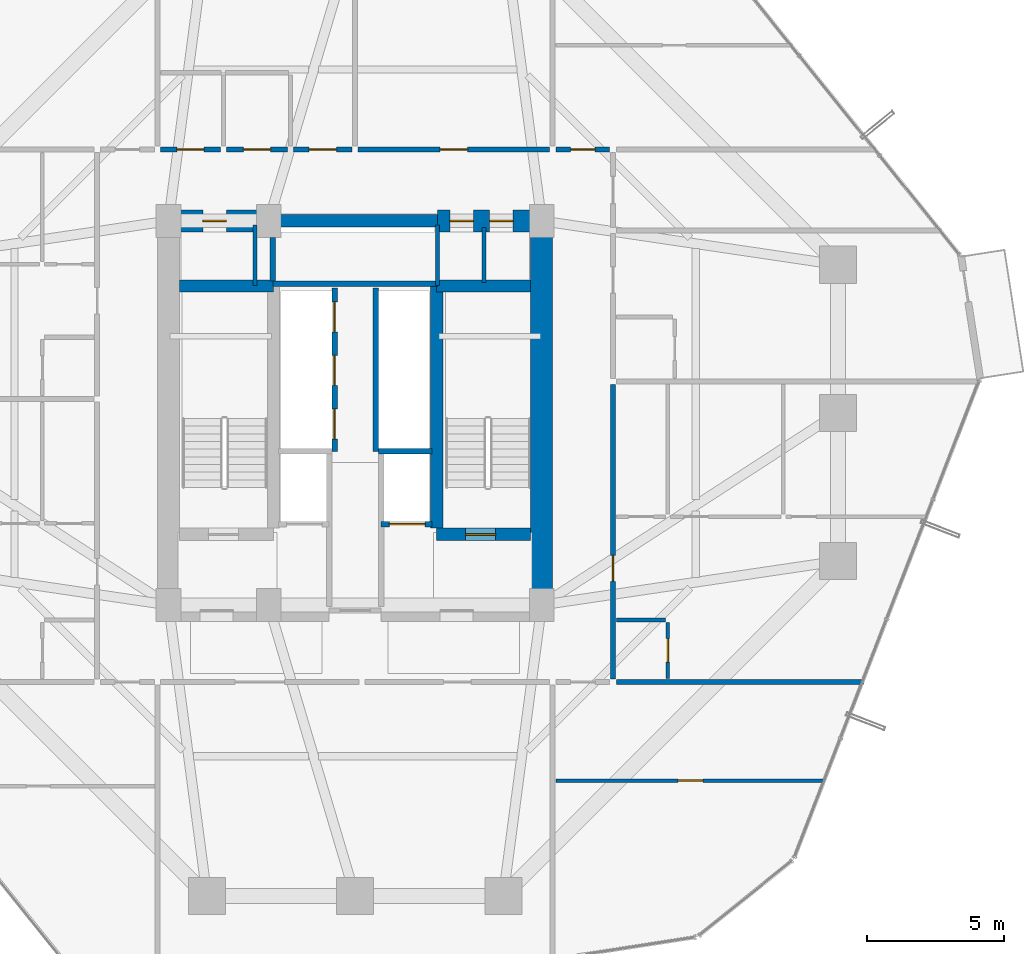
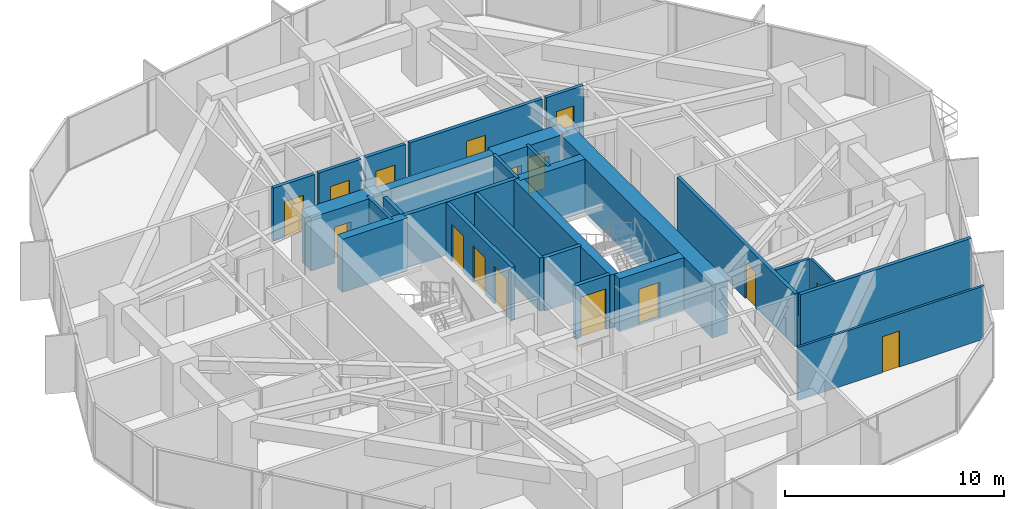
# One storey, part 34 of 37: 27 walls, 16 doors, 16 openings.
"""IFC4 building model written with IfcOpenShell, lengths in metres."""

from ifc_helpers import new_model, si_unit, direction, frame, frame_2d, origin, place, context, subcontext, project, spatial, rectangle, extrude, source, transform, mapped, material, layer, layer_set, type_object, element, fill, save


model = new_model("IFC4")

# Units and contexts
model_context = context("Model", 3, precision=1e-05, world=origin(), true_north=direction((0.0, 1.0)))
body_context = subcontext(model_context, "Body", "Model", "MODEL_VIEW")
ifc_project = project(units=[si_unit("LENGTHUNIT", "METRE"), si_unit("AREAUNIT", "SQUARE_METRE"), si_unit("VOLUMEUNIT", "CUBIC_METRE"), si_unit("PLANEANGLEUNIT", "RADIAN"), si_unit("MASSUNIT", "GRAM", prefix="KILO")], contexts=[model_context])

# Site, building, storey
site_placement = place(None, origin())
site = spatial("IfcSite", under=ifc_project, at=site_placement, CompositionType="ELEMENT")
building_placement = place(site_placement, origin())
building = spatial("IfcBuilding", under=site, at=building_placement, Name="Veraguas Prism Commons", CompositionType="ELEMENT")
storey_placement = place(building_placement, frame((0.0, 0.0, 53.300048828125)))
storey = spatial("IfcBuildingStorey", under=building, at=storey_placement, Name="L14", CompositionType="ELEMENT", Elevation=53.300048828125)

# Wall
ifc_material_1 = material(Name="Concrete C60/75", Category="concrete")
ifc_layer_1 = layer(ifc_material_1, 0.449951171875, Name="Core Internal Shear Wall Lower RC 450", Category="concrete")
ifc_layer_set_1 = layer_set([ifc_layer_1], Name="Concrete C60/75")
wall_type_1 = type_object("IfcWallType", Name="Core Internal Shear Wall Lower RC 450", PredefinedType="SHEAR", material=ifc_layer_set_1)
wall_1_placement = place(storey_placement, frame((21.0, 31.0, 0.0), z_axis=(0.0, 0.0, 1.0), x_axis=(1.0, 0.0, 0.0)))
element("IfcWall", 1, at=wall_1_placement, inside=storey, type_object=wall_type_1, Name="High-Rise Lift Bank Front Shear Wall L14", PredefinedType="SHEAR", context=body_context, shape_type="SweptSolid", body=[
    extrude(rectangle(XDim=6.0, YDim=0.449951171875, at=frame_2d((3.0, 0.0))), origin(), (0.0, 0.0, 1.0), 2.969970703125),
])

# Wall, opening, door
wall_2_placement = place(storey_placement, frame((26.97509765625, 19.574951171875, 0.0), z_axis=(0.0, 0.0, 1.0), x_axis=(1.0, 0.0, 0.0)))
wall_2 = element("IfcWall", 2, at=wall_2_placement, inside=storey, type_object=wall_type_1, Name="Stair ST-02 South Shear Wall L14", PredefinedType="SHEAR", context=body_context, shape_type="SweptSolid", body=[
    extrude(rectangle(XDim=3.4248046875, YDim=0.449951171875, at=frame_2d((1.71240234375, 0.0))), origin(), (0.0, 0.0, 1.0), 2.969970703125),
])
opening_1_placement = place(wall_2_placement, frame((1.050048828125, 0.0, 0.0)))
opening_1 = element("IfcOpeningElement", 3, at=opening_1_placement, cuts=wall_2, Name="Opening DR-05", PredefinedType="OPENING", context=body_context, shape_type="SweptSolid", body=[
    extrude(rectangle(XDim=1.10009765625, YDim=2.030029296875, at=frame_2d((0.550048828125, 1.01513671875))), frame((0.0, 0.23486328125, 0.0), z_axis=(0.0, -1.0, 0.0), x_axis=(1.0, 0.0, 0.0)), (0.0, 0.0, 1.0), 0.469970703125),
])
ifc_material_2 = material(Name="Steel fire-rated door assembly", Category="steel")
door_type_1 = type_object("IfcDoorType", Name="Protected Stair and Refuge Fire Door 1100x2030", OperationType="NOTDEFINED", PredefinedType="DOOR", material=ifc_material_2)
shared_shape_1 = source(origin(), body_context, "Body", "SweptSolid", [
    extrude(rectangle(XDim=1.10009765625, YDim=2.030029296875, at=frame_2d((0.550048828125, 1.01513671875))), frame((0.0, 0.02490234375, 0.0), z_axis=(0.0, -1.0, 0.0), x_axis=(1.0, 0.0, 0.0)), (0.0, 0.0, 1.0), 0.050048828125),
])
door_1_placement = place(opening_1_placement, origin())
door_1 = element("IfcDoor", 4, at=door_1_placement, inside=storey, type_object=door_type_1, Name="Stair ST-02 Enclosure Door L14", OperationType="SINGLE_SWING_RIGHT", OverallHeight=2.030029296875, OverallWidth=1.10009765625, PredefinedType="DOOR", context=body_context, shape_type="MappedRepresentation", body=[
    mapped(shared_shape_1, transform((0.0, 0.0, 0.0), scale=1.0)),
])
fill(opening_1, door_1)

# Walls
wall_3_placement = place(storey_placement, frame((26.97509765625, 19.800048828125, 0.0), z_axis=(0.0, 0.0, 1.0), x_axis=(0.0, 1.0, 0.0)))
element("IfcWall", 5, at=wall_3_placement, inside=storey, type_object=wall_type_1, Name="Stair ST-02 Inner Shear Wall L14", PredefinedType="SHEAR", context=body_context, shape_type="SweptSolid", body=[
    extrude(rectangle(XDim=8.824951171875, YDim=0.449951171875, at=frame_2d((4.41259765625, 0.0))), origin(), (0.0, 0.0, 1.0), 2.969970703125),
])
for number, where, z_axis, x_axis, name in (
    (6, (17.60009765625, 28.625, 0.0), (0.0, 0.0, 1.0), (1.0, 0.0, 0.0), "Stair ST-01 North Shear Wall L14"),
    (7, (26.97509765625, 28.625, 0.0), (0.0, 0.0, 1.0), (1.0, 0.0, 0.0), "Stair ST-02 North Shear Wall L14"),
):
    element("IfcWall", number, at=place(storey_placement, frame(where, z_axis=z_axis, x_axis=x_axis)), inside=storey, type_object=wall_type_1, Name=name, PredefinedType="SHEAR", context=body_context, shape_type="SweptSolid", body=[
        extrude(rectangle(XDim=3.4248046875, YDim=0.449951171875, at=frame_2d((1.71240234375, 0.0))), origin(), (0.0, 0.0, 1.0), 2.969970703125),
    ])
ifc_layer_2 = layer(ifc_material_1, 0.800048828125, Name="Core Outer Shear Wall Lower RC 800", Category="concrete")
ifc_layer_set_2 = layer_set([ifc_layer_2], Name="Concrete C60/75")
wall_type_2 = type_object("IfcWallType", Name="Core Outer Shear Wall Lower RC 800", PredefinedType="SHEAR", material=ifc_layer_set_2)
wall_4_placement = place(storey_placement, frame((30.800048828125, 16.800048828125, 0.0), z_axis=(0.0, 0.0, 1.0), x_axis=(0.0, 1.0, 0.0)))
element("IfcWall", 8, at=wall_4_placement, inside=storey, type_object=wall_type_2, Name="Central Core East Shear Wall L14", PredefinedType="SHEAR", context=body_context, shape_type="SweptSolid", body=[
    extrude(rectangle(XDim=14.199951171875, YDim=0.800048828125, at=frame_2d((7.10009765625, 0.0))), origin(), (0.0, 0.0, 1.0), 2.969970703125),
])

# Wall, opening, door
wall_5_placement = place(storey_placement, frame((17.199951171875, 31.0, 0.0), z_axis=(0.0, 0.0, 1.0), x_axis=(1.0, 0.0, 0.0)))
wall_5 = element("IfcWall", 9, at=wall_5_placement, inside=storey, type_object=wall_type_2, Name="Central Core North-West Shear Wall L14", PredefinedType="SHEAR", context=body_context, shape_type="SweptSolid", body=[
    extrude(rectangle(XDim=3.800048828125, YDim=0.800048828125, at=frame_2d((1.89990234375, 0.0))), origin(), (0.0, 0.0, 1.0), 2.969970703125),
])
opening_2_placement = place(wall_5_placement, frame((1.25, 0.0, 0.0)))
opening_2 = element("IfcOpeningElement", 10, at=opening_2_placement, cuts=wall_5, Name="Opening DR-12", PredefinedType="OPENING", context=body_context, shape_type="SweptSolid", body=[
    extrude(rectangle(XDim=0.860107421875, YDim=2.010009765625, at=frame_2d((0.43017578125, 1.0048828125))), frame((0.0, 0.409912109375, 0.0), z_axis=(0.0, -1.0, 0.0), x_axis=(1.0, 0.0, 0.0)), (0.0, 0.0, 1.0), 0.820068359375),
])
door_type_2 = type_object("IfcDoorType", Name="Core WC Fire Door 860x2010", OperationType="NOTDEFINED", PredefinedType="DOOR", material=ifc_material_2)
shared_shape_2 = source(origin(), body_context, "Body", "SweptSolid", [
    extrude(rectangle(XDim=0.860107421875, YDim=2.010009765625, at=frame_2d((0.43017578125, 1.0048828125))), frame((0.0, 0.02490234375, 0.0), z_axis=(0.0, -1.0, 0.0), x_axis=(1.0, 0.0, 0.0)), (0.0, 0.0, 1.0), 0.050048828125),
])
door_2_placement = place(opening_2_placement, origin())
door_2 = element("IfcDoor", 11, at=door_2_placement, inside=storey, type_object=door_type_2, Name="Core NW Service Door L14", OperationType="SINGLE_SWING_RIGHT", OverallHeight=2.010009765625, OverallWidth=0.860107421875, PredefinedType="DOOR", context=body_context, shape_type="MappedRepresentation", body=[
    mapped(shared_shape_2, transform((0.0, 0.0, 0.0), scale=1.0)),
])
fill(opening_2, door_2)

# Wall, openings, doors
wall_6_placement = place(storey_placement, frame((27.0, 31.0, 0.0), z_axis=(0.0, 0.0, 1.0), x_axis=(1.0, 0.0, 0.0)))
wall_6 = element("IfcWall", 12, at=wall_6_placement, inside=storey, type_object=wall_type_2, Name="Central Core North-East Shear Wall L14", PredefinedType="SHEAR", context=body_context, shape_type="SweptSolid", body=[
    extrude(rectangle(XDim=3.800048828125, YDim=0.800048828125, at=frame_2d((1.89990234375, 0.0))), origin(), (0.0, 0.0, 1.0), 2.969970703125),
])
opening_3_placement = place(wall_6_placement, frame((0.449951171875, 0.0, 0.0)))
opening_3 = element("IfcOpeningElement", 13, at=opening_3_placement, cuts=wall_6, Name="Opening DR-12", PredefinedType="OPENING", context=body_context, shape_type="SweptSolid", body=[
    extrude(rectangle(XDim=0.860107421875, YDim=2.010009765625, at=frame_2d((0.43017578125, 1.0048828125))), frame((0.0, 0.409912109375, 0.0), z_axis=(0.0, -1.0, 0.0), x_axis=(1.0, 0.0, 0.0)), (0.0, 0.0, 1.0), 0.820068359375),
])
opening_4_placement = place(wall_6_placement, frame((1.89990234375, 0.0, 0.0)))
opening_4 = element("IfcOpeningElement", 14, at=opening_4_placement, cuts=wall_6, Name="Opening DR-12", PredefinedType="OPENING", context=body_context, shape_type="SweptSolid", body=[
    extrude(rectangle(XDim=0.860107421875, YDim=2.010009765625, at=frame_2d((0.43017578125, 1.0048828125))), frame((0.0, 0.409912109375, 0.0), z_axis=(0.0, -1.0, 0.0), x_axis=(1.0, 0.0, 0.0)), (0.0, 0.0, 1.0), 0.820068359375),
])
door_3_placement = place(opening_3_placement, origin())
door_3 = element("IfcDoor", 15, at=door_3_placement, inside=storey, type_object=door_type_2, Name="Core NE Room A Door L14", OperationType="SINGLE_SWING_LEFT", OverallHeight=2.010009765625, OverallWidth=0.860107421875, PredefinedType="DOOR", context=body_context, shape_type="MappedRepresentation", body=[
    mapped(shared_shape_2, transform((0.0, 0.0, 0.0), scale=1.0)),
])
fill(opening_3, door_3)
door_4_placement = place(opening_4_placement, origin())
door_4 = element("IfcDoor", 16, at=door_4_placement, inside=storey, type_object=door_type_2, Name="Core NE Room B Door L14", OperationType="SINGLE_SWING_RIGHT", OverallHeight=2.010009765625, OverallWidth=0.860107421875, PredefinedType="DOOR", context=body_context, shape_type="MappedRepresentation", body=[
    mapped(shared_shape_2, transform((0.0, 0.0, 0.0), scale=1.0)),
])
fill(opening_4, door_4)

# Wall, opening, door
ifc_material_3 = material(Name="Autoclaved aerated masonry block 10 MPa", Category="masonry")
ifc_layer_3 = layer(ifc_material_3, 0.179931640625, Name="Corridor and Inter-Tenancy Partition 180", Category="masonry")
ifc_layer_set_3 = layer_set([ifc_layer_3], Name="Autoclaved aerated masonry block 10 MPa")
wall_type_3 = type_object("IfcWallType", Name="Corridor and Inter-Tenancy Partition 180", PredefinedType="PARTITIONING", material=ifc_layer_set_3)
wall_7_placement = place(storey_placement, frame((16.909912109375, 33.60009765625, 0.0), z_axis=(0.0, 0.0, 1.0), x_axis=(1.0, 0.0, 0.0)))
wall_7 = element("IfcWall", 17, at=wall_7_placement, inside=storey, type_object=wall_type_3, Name="WL-L14-PT007", PredefinedType="PARTITIONING", context=body_context, shape_type="SweptSolid", body=[
    extrude(rectangle(XDim=2.18017578125, YDim=0.179931640625, at=frame_2d((1.090087890625, 0.0))), origin(), (0.0, 0.0, 1.0), 2.969970703125),
])
opening_5_placement = place(wall_7_placement, frame((0.590087890625, 0.0, 0.0)))
opening_5 = element("IfcOpeningElement", 18, at=opening_5_placement, cuts=wall_7, Name="Opening DR-13", PredefinedType="OPENING", context=body_context, shape_type="SweptSolid", body=[
    extrude(rectangle(XDim=1.0, YDim=2.010009765625, at=frame_2d((0.5, 1.0048828125))), frame((0.0, 0.099853515625, 0.0), z_axis=(0.0, -1.0, 0.0), x_axis=(1.0, 0.0, 0.0)), (0.0, 0.0, 1.0), 0.199951171875),
])
door_type_3 = type_object("IfcDoorType", Name="Core Accessible WC and Clinic Fire Door 1000x2010", OperationType="NOTDEFINED", PredefinedType="DOOR", material=ifc_material_2)
shared_shape_3 = source(origin(), body_context, "Body", "SweptSolid", [
    extrude(rectangle(XDim=1.0, YDim=2.010009765625, at=frame_2d((0.5, 1.0048828125))), frame((0.0, 0.02490234375, 0.0), z_axis=(0.0, -1.0, 0.0), x_axis=(1.0, 0.0, 0.0)), (0.0, 0.0, 1.0), 0.050048828125),
])
door_5_placement = place(opening_5_placement, origin())
door_5 = element("IfcDoor", 19, at=door_5_placement, inside=storey, type_object=door_type_3, Name="Public WC L14 Door", OperationType="SINGLE_SWING_LEFT", OverallHeight=2.010009765625, OverallWidth=1.0, PredefinedType="DOOR", context=body_context, shape_type="MappedRepresentation", body=[
    mapped(shared_shape_3, transform((0.0, 0.0, 0.0), scale=1.0)),
])
fill(opening_5, door_5)

wall_8_placement = place(storey_placement, frame((19.31005859375, 33.60009765625, 0.0), z_axis=(0.0, 0.0, 1.0), x_axis=(1.0, 0.0, 0.0)))
wall_8 = element("IfcWall", 20, at=wall_8_placement, inside=storey, type_object=wall_type_3, Name="WL-L14-PT008", PredefinedType="PARTITIONING", context=body_context, shape_type="SweptSolid", body=[
    extrude(rectangle(XDim=2.22998046875, YDim=0.179931640625, at=frame_2d((1.114990234375, 0.0))), origin(), (0.0, 0.0, 1.0), 2.969970703125),
])
opening_6_placement = place(wall_8_placement, frame((0.614990234375, 0.0, 0.0)))
opening_6 = element("IfcOpeningElement", 21, at=opening_6_placement, cuts=wall_8, Name="Opening DR-13", PredefinedType="OPENING", context=body_context, shape_type="SweptSolid", body=[
    extrude(rectangle(XDim=1.0, YDim=2.010009765625, at=frame_2d((0.5, 1.0048828125))), frame((0.0, 0.099853515625, 0.0), z_axis=(0.0, -1.0, 0.0), x_axis=(1.0, 0.0, 0.0)), (0.0, 0.0, 1.0), 0.199951171875),
])
door_6_placement = place(opening_6_placement, origin())
door_6 = element("IfcDoor", 22, at=door_6_placement, inside=storey, type_object=door_type_3, Name="Accessible WC L14 Door", OperationType="SINGLE_SWING_RIGHT", OverallHeight=2.010009765625, OverallWidth=1.0, PredefinedType="DOOR", context=body_context, shape_type="MappedRepresentation", body=[
    mapped(shared_shape_3, transform((0.0, 0.0, 0.0), scale=1.0)),
])
fill(opening_6, door_6)

wall_9_placement = place(storey_placement, frame((21.760009765625, 33.60009765625, 0.0), z_axis=(0.0, 0.0, 1.0), x_axis=(1.0, 0.0, 0.0)))
wall_9 = element("IfcWall", 23, at=wall_9_placement, inside=storey, type_object=wall_type_3, Name="WL-L14-PT009", PredefinedType="PARTITIONING", context=body_context, shape_type="SweptSolid", body=[
    extrude(rectangle(XDim=2.1298828125, YDim=0.179931640625, at=frame_2d((1.06494140625, 0.0))), origin(), (0.0, 0.0, 1.0), 2.969970703125),
])
opening_7_placement = place(wall_9_placement, frame((0.56494140625, 0.0, 0.0)))
opening_7 = element("IfcOpeningElement", 24, at=opening_7_placement, cuts=wall_9, Name="Opening DR-13", PredefinedType="OPENING", context=body_context, shape_type="SweptSolid", body=[
    extrude(rectangle(XDim=1.0, YDim=2.010009765625, at=frame_2d((0.5, 1.0048828125))), frame((0.0, 0.099853515625, 0.0), z_axis=(0.0, -1.0, 0.0), x_axis=(1.0, 0.0, 0.0)), (0.0, 0.0, 1.0), 0.199951171875),
])
door_7_placement = place(opening_7_placement, origin())
door_7 = element("IfcDoor", 25, at=door_7_placement, inside=storey, type_object=door_type_3, Name="Quiet Study L14 Door", OperationType="SINGLE_SWING_LEFT", OverallHeight=2.010009765625, OverallWidth=1.0, PredefinedType="DOOR", context=body_context, shape_type="MappedRepresentation", body=[
    mapped(shared_shape_3, transform((0.0, 0.0, 0.0), scale=1.0)),
])
fill(opening_7, door_7)

wall_10_placement = place(storey_placement, frame((24.110107421875, 33.60009765625, 0.0), z_axis=(0.0, 0.0, 1.0), x_axis=(1.0, 0.0, 0.0)))
wall_10 = element("IfcWall", 26, at=wall_10_placement, inside=storey, type_object=wall_type_3, Name="WL-L14-PT010", PredefinedType="PARTITIONING", context=body_context, shape_type="SweptSolid", body=[
    extrude(rectangle(XDim=6.97998046875, YDim=0.179931640625, at=frame_2d((3.489990234375, 0.0))), origin(), (0.0, 0.0, 1.0), 2.969970703125),
])
opening_8_placement = place(wall_10_placement, frame((2.989990234375, 0.0, 0.0)))
opening_8 = element("IfcOpeningElement", 27, at=opening_8_placement, cuts=wall_10, Name="Opening DR-13", PredefinedType="OPENING", context=body_context, shape_type="SweptSolid", body=[
    extrude(rectangle(XDim=1.0, YDim=2.010009765625, at=frame_2d((0.5, 1.0048828125))), frame((0.0, 0.099853515625, 0.0), z_axis=(0.0, -1.0, 0.0), x_axis=(1.0, 0.0, 0.0)), (0.0, 0.0, 1.0), 0.199951171875),
])
door_8_placement = place(opening_8_placement, origin())
door_8 = element("IfcDoor", 28, at=door_8_placement, inside=storey, type_object=door_type_3, Name="Reading Lounge L14 Door", OperationType="SINGLE_SWING_RIGHT", OverallHeight=2.010009765625, OverallWidth=1.0, PredefinedType="DOOR", context=body_context, shape_type="MappedRepresentation", body=[
    mapped(shared_shape_3, transform((0.0, 0.0, 0.0), scale=1.0)),
])
fill(opening_8, door_8)

# Wall
wall_11_placement = place(storey_placement, frame((33.52001953125, 14.199951171875, 0.0), z_axis=(0.0, 0.0, 1.0), x_axis=(1.0, 0.0, 0.0)))
element("IfcWall", 29, at=wall_11_placement, inside=storey, type_object=wall_type_3, Name="WL-L14-PT033", PredefinedType="PARTITIONING", context=body_context, shape_type="SweptSolid", body=[
    extrude(rectangle(XDim=9.00537109375, YDim=0.179931640625, at=frame_2d((4.502685546875, 0.0))), origin(), (0.0, 0.0, 1.0), 2.969970703125),
])

# Wall, opening, door
wall_12_placement = place(storey_placement, frame((33.39990234375, 14.31005859375, 0.0), z_axis=(0.0, 0.0, 1.0), x_axis=(0.0, 1.0, 0.0)))
wall_12 = element("IfcWall", 30, at=wall_12_placement, inside=storey, type_object=wall_type_3, Name="WL-L14-PT035", PredefinedType="PARTITIONING", context=body_context, shape_type="SweptSolid", body=[
    extrude(rectangle(XDim=10.73193359375, YDim=0.179931640625, at=frame_2d((5.365966796875, 0.0))), origin(), (0.0, 0.0, 1.0), 2.969970703125),
])
opening_9_placement = place(wall_12_placement, frame((3.552001953125, 0.0, 0.0)))
opening_9 = element("IfcOpeningElement", 31, at=opening_9_placement, cuts=wall_12, Name="Opening DR-01", PredefinedType="OPENING", context=body_context, shape_type="SweptSolid", body=[
    extrude(rectangle(XDim=0.949951171875, YDim=2.02001953125, at=frame_2d((0.47509765625, 1.010009765625))), frame((0.0, 0.099853515625, 0.0), z_axis=(0.0, -1.0, 0.0), x_axis=(1.0, 0.0, 0.0)), (0.0, 0.0, 1.0), 0.199951171875),
])
ifc_material_4 = material(Name="Anodised aluminium EN AW-6063 T6", Category="aluminium")
door_type_4 = type_object("IfcDoorType", Name="Apartment Entrance Fire Door 950x2020", OperationType="NOTDEFINED", PredefinedType="DOOR", material=ifc_material_4)
shared_shape_4 = source(origin(), body_context, "Body", "SweptSolid", [
    extrude(rectangle(XDim=0.949951171875, YDim=2.02001953125, at=frame_2d((0.47509765625, 1.010009765625))), frame((0.0, 0.02490234375, 0.0), z_axis=(0.0, -1.0, 0.0), x_axis=(1.0, 0.0, 0.0)), (0.0, 0.0, 1.0), 0.050048828125),
])
door_9_placement = place(opening_9_placement, origin())
door_9 = element("IfcDoor", 32, at=door_9_placement, inside=storey, type_object=door_type_4, Name="Flat 14C Entrance Door", OperationType="SINGLE_SWING_RIGHT", OverallHeight=2.02001953125, OverallWidth=0.949951171875, PredefinedType="DOOR", context=body_context, shape_type="MappedRepresentation", body=[
    mapped(shared_shape_4, transform((0.0, 0.0, 0.0), scale=1.0)),
])
fill(opening_9, door_9)

wall_13_placement = place(storey_placement, frame((31.320068359375, 33.60009765625, 0.0), z_axis=(0.0, 0.0, 1.0), x_axis=(1.0, 0.0, 0.0)))
wall_13 = element("IfcWall", 33, at=wall_13_placement, inside=storey, type_object=wall_type_3, Name="WL-L14-PT054", PredefinedType="PARTITIONING", context=body_context, shape_type="SweptSolid", body=[
    extrude(rectangle(XDim=1.9599609375, YDim=0.179931640625, at=frame_2d((0.97998046875, 0.0))), origin(), (0.0, 0.0, 1.0), 2.969970703125),
])
opening_10_placement = place(wall_13_placement, frame((0.530029296875, 0.0, 0.0)))
opening_10 = element("IfcOpeningElement", 34, at=opening_10_placement, cuts=wall_13, Name="Opening DR-14", PredefinedType="OPENING", context=body_context, shape_type="SweptSolid", body=[
    extrude(rectangle(XDim=0.89990234375, YDim=2.010009765625, at=frame_2d((0.449951171875, 1.0048828125))), frame((0.0, 0.099853515625, 0.0), z_axis=(0.0, -1.0, 0.0), x_axis=(1.0, 0.0, 0.0)), (0.0, 0.0, 1.0), 0.199951171875),
])
door_type_5 = type_object("IfcDoorType", Name="Core Service Room Fire Door 900x2010", OperationType="NOTDEFINED", PredefinedType="DOOR", material=ifc_material_2)
shared_shape_5 = source(origin(), body_context, "Body", "SweptSolid", [
    extrude(rectangle(XDim=0.89990234375, YDim=2.010009765625, at=frame_2d((0.449951171875, 1.0048828125))), frame((0.0, 0.02490234375, 0.0), z_axis=(0.0, -1.0, 0.0), x_axis=(1.0, 0.0, 0.0)), (0.0, 0.0, 1.0), 0.050048828125),
])
door_10_placement = place(opening_10_placement, origin())
door_10 = element("IfcDoor", 35, at=door_10_placement, inside=storey, type_object=door_type_5, Name="Community Co-op Kitchen Door", OperationType="SINGLE_SWING_LEFT", OverallHeight=2.010009765625, OverallWidth=0.89990234375, PredefinedType="DOOR", context=body_context, shape_type="MappedRepresentation", body=[
    mapped(shared_shape_5, transform((0.0, 0.0, 0.0), scale=1.0)),
])
fill(opening_10, door_10)

ifc_material_5 = material(Name="Lightweight acoustic gypsum board")
ifc_layer_4 = layer(ifc_material_5, 0.125, Name="Internal Apartment Room Partition 125")
ifc_layer_set_4 = layer_set([ifc_layer_4], Name="Lightweight acoustic gypsum board")
wall_type_4 = type_object("IfcWallType", Name="Internal Apartment Room Partition 125", PredefinedType="PARTITIONING", material=ifc_layer_set_4)
wall_14_placement = place(storey_placement, frame((35.39990234375, 14.320068359375, 0.0), z_axis=(0.0, 0.0, 1.0), x_axis=(0.0, 1.0, 0.0)))
wall_14 = element("IfcWall", 36, at=wall_14_placement, inside=storey, type_object=wall_type_4, Name="WL-L14-PT037", PredefinedType="PARTITIONING", context=body_context, shape_type="SweptSolid", body=[
    extrude(rectangle(XDim=2.050048828125, YDim=0.125, at=frame_2d((1.02490234375, 0.0))), origin(), (0.0, 0.0, 1.0), 2.969970703125),
])
opening_11_placement = place(wall_14_placement, frame((0.594970703125, 0.0, 0.0)))
opening_11 = element("IfcOpeningElement", 37, at=opening_11_placement, cuts=wall_14, Name="Opening DR-03", PredefinedType="OPENING", context=body_context, shape_type="SweptSolid", body=[
    extrude(rectangle(XDim=0.860107421875, YDim=2.010009765625, at=frame_2d((0.43017578125, 1.0048828125))), frame((0.0, 0.072509765625, 0.0), z_axis=(0.0, -1.0, 0.0), x_axis=(1.0, 0.0, 0.0)), (0.0, 0.0, 1.0), 0.14501953125),
])
ifc_material_6 = material(Name="Timber moisture-resistant leaf", Category="wood")
door_type_6 = type_object("IfcDoorType", Name="Internal Bathroom Door 860x2010", OperationType="NOTDEFINED", PredefinedType="DOOR", material=ifc_material_6)
door_11_placement = place(opening_11_placement, origin())
door_11 = element("IfcDoor", 38, at=door_11_placement, inside=storey, type_object=door_type_6, Name="Flat 14C Bathroom Door", OperationType="SINGLE_SWING_LEFT", OverallHeight=2.010009765625, OverallWidth=0.860107421875, PredefinedType="DOOR", context=body_context, shape_type="MappedRepresentation", body=[
    mapped(shared_shape_2, transform((0.0, 0.0, 0.0), scale=1.0)),
])
fill(opening_11, door_11)

wall_15_placement = place(storey_placement, frame((31.320068359375, 10.60009765625, 0.0), z_axis=(0.0, 0.0, 1.0), x_axis=(1.0, 0.0, 0.0)))
wall_15 = element("IfcWall", 39, at=wall_15_placement, inside=storey, type_object=wall_type_4, Name="WL-L14-PT052", PredefinedType="PARTITIONING", context=body_context, shape_type="SweptSolid", body=[
    extrude(rectangle(XDim=9.810302734375, YDim=0.125, at=frame_2d((4.9052734375, 0.0))), origin(), (0.0, 0.0, 1.0), 2.969970703125),
])
opening_12_placement = place(wall_15_placement, frame((4.455078125, 0.0, 0.0)))
opening_12 = element("IfcOpeningElement", 40, at=opening_12_placement, cuts=wall_15, Name="Opening DR-02", PredefinedType="OPENING", context=body_context, shape_type="SweptSolid", body=[
    extrude(rectangle(XDim=0.89990234375, YDim=2.010009765625, at=frame_2d((0.449951171875, 1.0048828125))), frame((0.0, 0.072509765625, 0.0), z_axis=(0.0, -1.0, 0.0), x_axis=(1.0, 0.0, 0.0)), (0.0, 0.0, 1.0), 0.14501953125),
])
ifc_material_7 = material(Name="Timber solid core hardwood", Category="wood")
door_type_7 = type_object("IfcDoorType", Name="Internal Habitable Room Door 900x2010", OperationType="NOTDEFINED", PredefinedType="DOOR", material=ifc_material_7)
door_12_placement = place(opening_12_placement, origin())
door_12 = element("IfcDoor", 41, at=door_12_placement, inside=storey, type_object=door_type_7, Name="Craft Room SE Door", OperationType="SINGLE_SWING_LEFT", OverallHeight=2.010009765625, OverallWidth=0.89990234375, PredefinedType="DOOR", context=body_context, shape_type="MappedRepresentation", body=[
    mapped(shared_shape_5, transform((0.0, 0.0, 0.0), scale=1.0)),
])
fill(opening_12, door_12)

ifc_layer_5 = layer(ifc_material_3, 0.199951171875, Name="Rated Shaft and Lobby Block Wall 200", Category="masonry")
ifc_layer_set_5 = layer_set([ifc_layer_5], Name="Autoclaved aerated masonry block 10 MPa")
wall_type_5 = type_object("IfcWallType", Name="Rated Shaft and Lobby Block Wall 200", PredefinedType="SOLIDWALL", material=ifc_layer_set_5)
wall_16_placement = place(storey_placement, frame((24.949951171875, 19.949951171875, 0.0), z_axis=(0.0, 0.0, 1.0), x_axis=(1.0, 0.0, 0.0)))
wall_16 = element("IfcWall", 42, at=wall_16_placement, inside=storey, type_object=wall_type_5, Name="Firefighting Lift FFL-2 Front Wall L14", PredefinedType="SOLIDWALL", context=body_context, shape_type="SweptSolid", body=[
    extrude(rectangle(XDim=1.85009765625, YDim=0.199951171875, at=frame_2d((0.925048828125, 0.0))), origin(), (0.0, 0.0, 1.0), 2.969970703125),
])
opening_13_placement = place(wall_16_placement, frame((0.300048828125, 0.0, 0.0)))
opening_13 = element("IfcOpeningElement", 43, at=opening_13_placement, cuts=wall_16, Name="Opening LD-02", PredefinedType="OPENING", context=body_context, shape_type="SweptSolid", body=[
    extrude(rectangle(XDim=1.300048828125, YDim=2.25, at=frame_2d((0.64990234375, 1.125))), frame((0.0, 0.10986328125, 0.0), z_axis=(0.0, -1.0, 0.0), x_axis=(1.0, 0.0, 0.0)), (0.0, 0.0, 1.0), 0.219970703125),
])
ifc_material_8 = material(Name="Stainless steel AISI 316", Category="steel")
door_type_8 = type_object("IfcDoorType", Name="Firefighting Lift Sliding Landing Door 1300x2250", OperationType="NOTDEFINED", PredefinedType="DOOR", material=ifc_material_8)
shared_shape_6 = source(origin(), body_context, "Body", "SweptSolid", [
    extrude(rectangle(XDim=1.300048828125, YDim=2.25, at=frame_2d((0.64990234375, 1.125))), frame((0.0, 0.02490234375, 0.0), z_axis=(0.0, -1.0, 0.0), x_axis=(1.0, 0.0, 0.0)), (0.0, 0.0, 1.0), 0.050048828125),
])
door_13_placement = place(opening_13_placement, origin())
door_13 = element("IfcDoor", 44, at=door_13_placement, inside=storey, type_object=door_type_8, Name="Firefighting Lift FFL-2 Front Wall L14", OperationType="SLIDING_TO_LEFT", OverallHeight=2.25, OverallWidth=1.300048828125, PredefinedType="DOOR", context=body_context, shape_type="MappedRepresentation", body=[
    mapped(shared_shape_6, transform((0.0, 0.0, 0.0), scale=1.0)),
])
fill(opening_13, door_13)

# Walls
wall_17_placement = place(storey_placement, frame((24.85009765625, 22.60009765625, 0.0), z_axis=(0.0, 0.0, 1.0), x_axis=(1.0, 0.0, 0.0)))
element("IfcWall", 45, at=wall_17_placement, inside=storey, type_object=wall_type_5, Name="Firefighting Lift FFL-2 Rear Wall L14", PredefinedType="SOLIDWALL", context=body_context, shape_type="SweptSolid", body=[
    extrude(rectangle(XDim=1.949951171875, YDim=0.199951171875, at=frame_2d((0.97509765625, 0.0))), origin(), (0.0, 0.0, 1.0), 2.969970703125),
])
wall_18_placement = place(storey_placement, frame((21.0, 28.699951171875, 0.0), z_axis=(0.0, 0.0, 1.0), x_axis=(1.0, 0.0, 0.0)))
element("IfcWall", 46, at=wall_18_placement, inside=storey, type_object=wall_type_5, Name="High-Rise Lift Bank Rear Shaft Wall L14", PredefinedType="SOLIDWALL", context=body_context, shape_type="SweptSolid", body=[
    extrude(rectangle(XDim=6.0, YDim=0.199951171875, at=frame_2d((3.0, 0.0))), origin(), (0.0, 0.0, 1.0), 2.969970703125),
])
wall_19_placement = place(storey_placement, frame((21.0, 28.800048828125, 0.0), z_axis=(0.0, 0.0, 1.0), x_axis=(0.0, 1.0, 0.0)))
element("IfcWall", 47, at=wall_19_placement, inside=storey, type_object=wall_type_5, Name="High-Rise Lift Bank West Shaft Wall L14", PredefinedType="SOLIDWALL", context=body_context, shape_type="SweptSolid", body=[
    extrude(rectangle(XDim=1.599853515625, YDim=0.199951171875, at=frame_2d((0.7998046875, 0.0))), origin(), (0.0, 0.0, 1.0), 2.969970703125),
])

# Wall, openings, doors
wall_20_placement = place(storey_placement, frame((23.25, 22.60009765625, 0.0), z_axis=(0.0, 0.0, 1.0), x_axis=(0.0, 1.0, 0.0)))
wall_20 = element("IfcWall", 48, at=wall_20_placement, inside=storey, type_object=wall_type_5, Name="Low-Rise Lift Bank Front Wall L14", PredefinedType="SOLIDWALL", context=body_context, shape_type="SweptSolid", body=[
    extrude(rectangle(XDim=5.949951171875, YDim=0.199951171875, at=frame_2d((2.97509765625, 0.0))), origin(), (0.0, 0.0, 1.0), 2.969970703125),
])
opening_14_placement = place(wall_20_placement, frame((0.449951171875, 0.0, 0.0)))
opening_14 = element("IfcOpeningElement", 49, at=opening_14_placement, cuts=wall_20, Name="Opening LD-01", PredefinedType="OPENING", context=body_context, shape_type="SweptSolid", body=[
    extrude(rectangle(XDim=1.10009765625, YDim=2.080078125, at=frame_2d((0.550048828125, 1.0400390625))), frame((0.0, 0.10986328125, 0.0), z_axis=(0.0, -1.0, 0.0), x_axis=(1.0, 0.0, 0.0)), (0.0, 0.0, 1.0), 0.219970703125),
])
opening_15_placement = place(wall_20_placement, frame((2.39990234375, 0.0, 0.0)))
opening_15 = element("IfcOpeningElement", 50, at=opening_15_placement, cuts=wall_20, Name="Opening LD-01", PredefinedType="OPENING", context=body_context, shape_type="SweptSolid", body=[
    extrude(rectangle(XDim=1.10009765625, YDim=2.080078125, at=frame_2d((0.550048828125, 1.0400390625))), frame((0.0, 0.10986328125, 0.0), z_axis=(0.0, -1.0, 0.0), x_axis=(1.0, 0.0, 0.0)), (0.0, 0.0, 1.0), 0.219970703125),
])
opening_16_placement = place(wall_20_placement, frame((4.35009765625, 0.0, 0.0)))
opening_16 = element("IfcOpeningElement", 51, at=opening_16_placement, cuts=wall_20, Name="Opening LD-01", PredefinedType="OPENING", context=body_context, shape_type="SweptSolid", body=[
    extrude(rectangle(XDim=1.10009765625, YDim=2.080078125, at=frame_2d((0.550048828125, 1.0400390625))), frame((0.0, 0.10986328125, 0.0), z_axis=(0.0, -1.0, 0.0), x_axis=(1.0, 0.0, 0.0)), (0.0, 0.0, 1.0), 0.219970703125),
])
door_type_9 = type_object("IfcDoorType", Name="Passenger Lift Sliding Landing Door 1100x2080", OperationType="NOTDEFINED", PredefinedType="DOOR", material=ifc_material_8)
shared_shape_7 = source(origin(), body_context, "Body", "SweptSolid", [
    extrude(rectangle(XDim=1.10009765625, YDim=2.080078125, at=frame_2d((0.550048828125, 1.0400390625))), frame((0.0, 0.02490234375, 0.0), z_axis=(0.0, -1.0, 0.0), x_axis=(1.0, 0.0, 0.0)), (0.0, 0.0, 1.0), 0.050048828125),
])
door_14_placement = place(opening_14_placement, origin())
door_14 = element("IfcDoor", 52, at=door_14_placement, inside=storey, type_object=door_type_9, Name="Sliding Landing Door PL-L1 L14", OperationType="SLIDING_TO_LEFT", OverallHeight=2.080078125, OverallWidth=1.10009765625, PredefinedType="DOOR", context=body_context, shape_type="MappedRepresentation", body=[
    mapped(shared_shape_7, transform((0.0, 0.0, 0.0), scale=1.0)),
])
fill(opening_14, door_14)
door_15_placement = place(opening_15_placement, origin())
door_15 = element("IfcDoor", 53, at=door_15_placement, inside=storey, type_object=door_type_9, Name="Sliding Landing Door PL-L2 L14", OperationType="SLIDING_TO_LEFT", OverallHeight=2.080078125, OverallWidth=1.10009765625, PredefinedType="DOOR", context=body_context, shape_type="MappedRepresentation", body=[
    mapped(shared_shape_7, transform((0.0, 0.0, 0.0), scale=1.0)),
])
fill(opening_15, door_15)
door_16_placement = place(opening_16_placement, origin())
door_16 = element("IfcDoor", 54, at=door_16_placement, inside=storey, type_object=door_type_9, Name="Sliding Landing Door PL-L3 L14", OperationType="SLIDING_TO_LEFT", OverallHeight=2.080078125, OverallWidth=1.10009765625, PredefinedType="DOOR", context=body_context, shape_type="MappedRepresentation", body=[
    mapped(shared_shape_7, transform((0.0, 0.0, 0.0), scale=1.0)),
])
fill(opening_16, door_16)

# Walls
wall_21_placement = place(storey_placement, frame((24.75, 22.60009765625, 0.0), z_axis=(0.0, 0.0, 1.0), x_axis=(0.0, 1.0, 0.0)))
element("IfcWall", 55, at=wall_21_placement, inside=storey, type_object=wall_type_5, Name="Mid-Rise Lift Bank Front Wall L14", PredefinedType="SOLIDWALL", context=body_context, shape_type="SweptSolid", body=[
    extrude(rectangle(XDim=5.949951171875, YDim=0.199951171875, at=frame_2d((2.97509765625, 0.0))), origin(), (0.0, 0.0, 1.0), 2.969970703125),
])
ifc_layer_6 = layer(ifc_material_5, 0.14990234375, Name="Wet Room and Clinic Acoustic Partition 150")
ifc_layer_set_6 = layer_set([ifc_layer_6], Name="Lightweight acoustic gypsum board")
wall_type_6 = type_object("IfcWallType", Name="Wet Room and Clinic Acoustic Partition 150", PredefinedType="PARTITIONING", material=ifc_layer_set_6)
for number, where, z_axis, x_axis, name in (
    (56, (20.35009765625, 28.64990234375, 0.0), (0.0, 0.0, 1.0), (0.0, 1.0, 0.0), "Core NW Service Inner Wall L14"),
    (57, (27.0, 28.64990234375, 0.0), (0.0, 0.0, 1.0), (0.0, 1.0, 0.0), "Core NE Service Inner Wall L14"),
):
    element("IfcWall", number, at=place(storey_placement, frame(where, z_axis=z_axis, x_axis=x_axis)), inside=storey, type_object=wall_type_6, Name=name, PredefinedType="PARTITIONING", context=body_context, shape_type="SweptSolid", body=[
        extrude(rectangle(XDim=2.2001953125, YDim=0.14990234375, at=frame_2d((1.10009765625, 0.0))), origin(), (0.0, 0.0, 1.0), 2.969970703125),
    ])
wall_22_placement = place(storey_placement, frame((28.699951171875, 28.75, 0.0), z_axis=(0.0, 0.0, 1.0), x_axis=(0.0, 1.0, 0.0)))
element("IfcWall", 58, at=wall_22_placement, inside=storey, type_object=wall_type_6, Name="WL-L14-CSVD1", PredefinedType="PARTITIONING", context=body_context, shape_type="SweptSolid", body=[
    extrude(rectangle(XDim=2.0, YDim=0.14990234375, at=frame_2d((1.0, 0.0))), origin(), (0.0, 0.0, 1.0), 2.969970703125),
])
wall_23_placement = place(storey_placement, frame((33.52001953125, 16.449951171875, 0.0), z_axis=(0.0, 0.0, 1.0), x_axis=(1.0, 0.0, 0.0)))
element("IfcWall", 59, at=wall_23_placement, inside=storey, type_object=wall_type_6, Name="WL-L14-PT036", PredefinedType="PARTITIONING", context=body_context, shape_type="SweptSolid", body=[
    extrude(rectangle(XDim=1.800048828125, YDim=0.14990234375, at=frame_2d((0.89990234375, 0.0))), origin(), (0.0, 0.0, 1.0), 2.969970703125),
])

save(model, "model.ifc")
